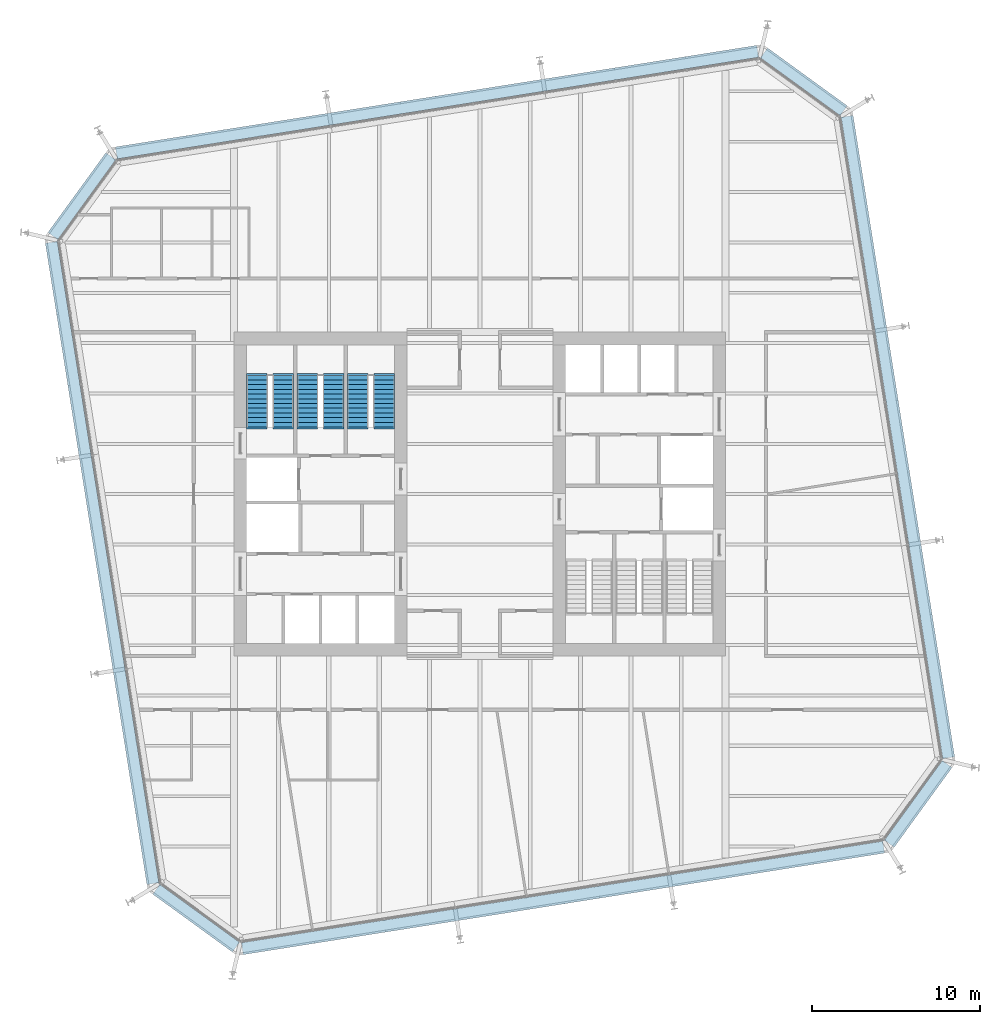
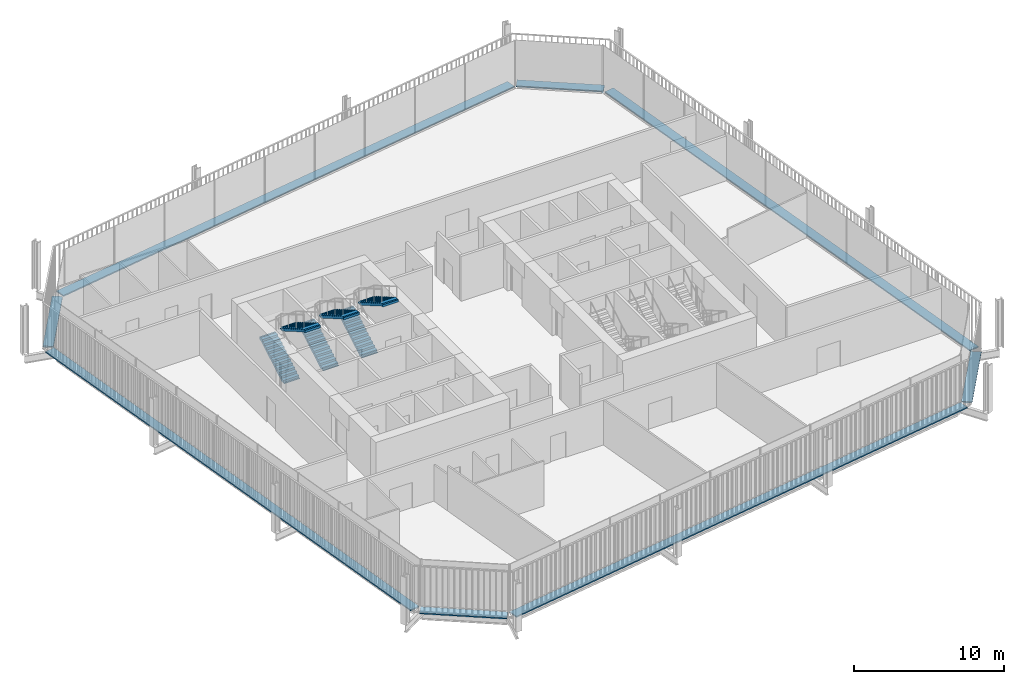
# One storey, part 20 of 21: 8 discrete accessories, 6 stair flights, 3 elements without a shape of their own.
"""IFC4 building model written with IfcOpenShell, lengths in metres."""

from ifc_helpers import new_model, si_unit, direction, frame, origin, origin_2d, place, context, subcontext, project, spatial, polyline, rectangle, outline, extrude, material, type_object, element, aggregate, save


model = new_model("IFC4")

# Units and contexts
model_context = context("Model", 3, precision=1e-05, world=origin(), true_north=direction((0.0, 1.0)))
body_context = subcontext(model_context, "Body", "Model", "MODEL_VIEW")
ifc_project = project(units=[si_unit("LENGTHUNIT", "METRE"), si_unit("AREAUNIT", "SQUARE_METRE"), si_unit("VOLUMEUNIT", "CUBIC_METRE"), si_unit("PLANEANGLEUNIT", "RADIAN"), si_unit("MASSUNIT", "GRAM", prefix="KILO")], contexts=[model_context])

# Site, building, storey
site_placement = place(None, origin())
site = spatial("IfcSite", under=ifc_project, at=site_placement, CompositionType="ELEMENT")
building_placement = place(site_placement, origin())
building = spatial("IfcBuilding", under=site, at=building_placement, Name="Millrace Tower", CompositionType="ELEMENT")
storey_placement = place(building_placement, frame((0.0, 0.0, 191.699951171875)))
storey = spatial("IfcBuildingStorey", under=building, at=storey_placement, Name="L43", CompositionType="ELEMENT", Elevation=191.699951171875)

# Stair, stair flights
ifc_material_1 = material(Name="Concrete C35", Category="concrete")
stair_type = type_object("IfcStairType", Name="Exit stair", PredefinedType="HALF_TURN_STAIR", material=ifc_material_1)
placement = place(storey_placement, origin())
stair_1 = element("IfcStair", 1, at=placement, inside=storey, type_object=stair_type, Name="Stair 1 W L43", PredefinedType="HALF_TURN_STAIR")
ifc_material_2 = material(Name="Concrete C35", Category="concrete")
stair_flight_type = type_object("IfcStairFlightType", Name="Exit stair flight", PredefinedType="STRAIGHT", material=ifc_material_2)
stair_flight_1_placement = place(storey_placement, frame((-13.2900390625, 4.0, 0.0), z_axis=(0.0, 0.0, 1.0), x_axis=(0.0, 1.0, 0.0)))
stair_flight_1 = element("IfcStairFlight", 2, at=stair_flight_1_placement, type_object=stair_flight_type, Name="ST12 flight 1", NumberOfRisers=12, NumberOfTreads=11, PredefinedType="STRAIGHT", RiserHeight=0.1625, TreadLength=0.28, context=body_context, shape_type="SweptSolid", body=[
    extrude(outline(polyline([(-0.1201171875, -0.0400390625), (-0.1201171875, 0.0), (0.0, 0.0), (0.0, 0.16259765625), (0.280029296875, 0.16259765625), (0.280029296875, 0.324951171875), (0.56005859375, 0.324951171875), (0.56005859375, 0.487548828125), (0.840087890625, 0.487548828125), (0.840087890625, 0.64990234375), (1.1201171875, 0.64990234375), (1.1201171875, 0.8125), (1.39990234375, 0.8125), (1.39990234375, 0.97509765625), (1.679931640625, 0.97509765625), (1.679931640625, 1.137451171875), (1.9599609375, 1.137451171875), (1.9599609375, 1.300048828125), (2.239990234375, 1.300048828125), (2.239990234375, 1.46240234375), (2.52001953125, 1.46240234375), (2.52001953125, 1.625), (2.800048828125, 1.625), (2.800048828125, 1.78759765625), (3.080078125, 1.78759765625), (3.080078125, 1.8076171875), (3.199951171875, 1.8076171875), (3.199951171875, 1.6142578125), (3.080078125, 1.6142578125), (0.298583984375, 0.0), (0.298583984375, -0.0400390625), (-0.1201171875, -0.0400390625)])), frame((0.0, 0.60986328125, 0.0), z_axis=(0.0, -1.0, 0.0), x_axis=(1.0, 0.0, 0.0)), (0.0, 0.0, 1.0), 1.219970703125),
])
stair_flight_2_placement = place(storey_placement, frame((-11.7099609375, 7.080078125, 1.949951171875), z_axis=(0.0, 0.0, 1.0), x_axis=(0.0, -1.0, 0.0)))
stair_flight_2 = element("IfcStairFlight", 3, at=stair_flight_2_placement, type_object=stair_flight_type, Name="ST12 flight 2", NumberOfRisers=12, NumberOfTreads=11, PredefinedType="STRAIGHT", RiserHeight=0.1625, TreadLength=0.28, context=body_context, shape_type="SweptSolid", body=[
    extrude(outline(polyline([(-0.1201171875, -0.0400390625), (-0.1201171875, 0.0), (0.0, 0.0), (0.0, 0.16259765625), (0.280029296875, 0.16259765625), (0.280029296875, 0.324951171875), (0.56005859375, 0.324951171875), (0.56005859375, 0.487548828125), (0.840087890625, 0.487548828125), (0.840087890625, 0.64990234375), (1.1201171875, 0.64990234375), (1.1201171875, 0.8125), (1.39990234375, 0.8125), (1.39990234375, 0.97509765625), (1.679931640625, 0.97509765625), (1.679931640625, 1.137451171875), (1.9599609375, 1.137451171875), (1.9599609375, 1.300048828125), (2.239990234375, 1.300048828125), (2.239990234375, 1.46240234375), (2.52001953125, 1.46240234375), (2.52001953125, 1.625), (2.800048828125, 1.625), (2.800048828125, 1.78759765625), (3.080078125, 1.78759765625), (3.080078125, 1.8076171875), (3.199951171875, 1.8076171875), (3.199951171875, 1.6142578125), (3.080078125, 1.6142578125), (0.298583984375, 0.0), (0.298583984375, -0.0400390625), (-0.1201171875, -0.0400390625)])), frame((0.0, 0.60986328125, 0.0), z_axis=(0.0, -1.0, 0.0), x_axis=(1.0, 0.0, 0.0)), (0.0, 0.0, 1.0), 1.219970703125),
])
aggregate(stair_1, [stair_flight_1, stair_flight_2])

stair_2 = element("IfcStair", 4, at=placement, inside=storey, type_object=stair_type, Name="Stair 2 W L43", PredefinedType="HALF_TURN_STAIR")
stair_flight_3_placement = place(storey_placement, frame((-10.2900390625, 4.0, 0.0), z_axis=(0.0, 0.0, 1.0), x_axis=(0.0, 1.0, 0.0)))
stair_flight_3 = element("IfcStairFlight", 5, at=stair_flight_3_placement, type_object=stair_flight_type, Name="ST12 flight 1", NumberOfRisers=12, NumberOfTreads=11, PredefinedType="STRAIGHT", RiserHeight=0.1625, TreadLength=0.28, context=body_context, shape_type="SweptSolid", body=[
    extrude(outline(polyline([(-0.1201171875, -0.0400390625), (-0.1201171875, 0.0), (0.0, 0.0), (0.0, 0.16259765625), (0.280029296875, 0.16259765625), (0.280029296875, 0.324951171875), (0.56005859375, 0.324951171875), (0.56005859375, 0.487548828125), (0.840087890625, 0.487548828125), (0.840087890625, 0.64990234375), (1.1201171875, 0.64990234375), (1.1201171875, 0.8125), (1.39990234375, 0.8125), (1.39990234375, 0.97509765625), (1.679931640625, 0.97509765625), (1.679931640625, 1.137451171875), (1.9599609375, 1.137451171875), (1.9599609375, 1.300048828125), (2.239990234375, 1.300048828125), (2.239990234375, 1.46240234375), (2.52001953125, 1.46240234375), (2.52001953125, 1.625), (2.800048828125, 1.625), (2.800048828125, 1.78759765625), (3.080078125, 1.78759765625), (3.080078125, 1.8076171875), (3.199951171875, 1.8076171875), (3.199951171875, 1.6142578125), (3.080078125, 1.6142578125), (0.298583984375, 0.0), (0.298583984375, -0.0400390625), (-0.1201171875, -0.0400390625)])), frame((0.0, 0.60986328125, 0.0), z_axis=(0.0, -1.0, 0.0), x_axis=(1.0, 0.0, 0.0)), (0.0, 0.0, 1.0), 1.219970703125),
])
stair_flight_4_placement = place(storey_placement, frame((-8.7099609375, 7.080078125, 1.949951171875), z_axis=(0.0, 0.0, 1.0), x_axis=(0.0, -1.0, 0.0)))
stair_flight_4 = element("IfcStairFlight", 6, at=stair_flight_4_placement, type_object=stair_flight_type, Name="ST12 flight 2", NumberOfRisers=12, NumberOfTreads=11, PredefinedType="STRAIGHT", RiserHeight=0.1625, TreadLength=0.28, context=body_context, shape_type="SweptSolid", body=[
    extrude(outline(polyline([(-0.1201171875, -0.0400390625), (-0.1201171875, 0.0), (0.0, 0.0), (0.0, 0.16259765625), (0.280029296875, 0.16259765625), (0.280029296875, 0.324951171875), (0.56005859375, 0.324951171875), (0.56005859375, 0.487548828125), (0.840087890625, 0.487548828125), (0.840087890625, 0.64990234375), (1.1201171875, 0.64990234375), (1.1201171875, 0.8125), (1.39990234375, 0.8125), (1.39990234375, 0.97509765625), (1.679931640625, 0.97509765625), (1.679931640625, 1.137451171875), (1.9599609375, 1.137451171875), (1.9599609375, 1.300048828125), (2.239990234375, 1.300048828125), (2.239990234375, 1.46240234375), (2.52001953125, 1.46240234375), (2.52001953125, 1.625), (2.800048828125, 1.625), (2.800048828125, 1.78759765625), (3.080078125, 1.78759765625), (3.080078125, 1.8076171875), (3.199951171875, 1.8076171875), (3.199951171875, 1.6142578125), (3.080078125, 1.6142578125), (0.298583984375, 0.0), (0.298583984375, -0.0400390625), (-0.1201171875, -0.0400390625)])), frame((0.0, 0.60986328125, 0.0), z_axis=(0.0, -1.0, 0.0), x_axis=(1.0, 0.0, 0.0)), (0.0, 0.0, 1.0), 1.219970703125),
])
aggregate(stair_2, [stair_flight_3, stair_flight_4])

stair_3 = element("IfcStair", 7, at=placement, inside=storey, type_object=stair_type, Name="Stair 3 W L43", PredefinedType="HALF_TURN_STAIR")
stair_flight_5_placement = place(storey_placement, frame((-7.2900390625, 4.0, 0.0), z_axis=(0.0, 0.0, 1.0), x_axis=(0.0, 1.0, 0.0)))
stair_flight_5 = element("IfcStairFlight", 8, at=stair_flight_5_placement, type_object=stair_flight_type, Name="ST12 flight 1", NumberOfRisers=12, NumberOfTreads=11, PredefinedType="STRAIGHT", RiserHeight=0.1625, TreadLength=0.28, context=body_context, shape_type="SweptSolid", body=[
    extrude(outline(polyline([(-0.1201171875, -0.0400390625), (-0.1201171875, 0.0), (0.0, 0.0), (0.0, 0.16259765625), (0.280029296875, 0.16259765625), (0.280029296875, 0.324951171875), (0.56005859375, 0.324951171875), (0.56005859375, 0.487548828125), (0.840087890625, 0.487548828125), (0.840087890625, 0.64990234375), (1.1201171875, 0.64990234375), (1.1201171875, 0.8125), (1.39990234375, 0.8125), (1.39990234375, 0.97509765625), (1.679931640625, 0.97509765625), (1.679931640625, 1.137451171875), (1.9599609375, 1.137451171875), (1.9599609375, 1.300048828125), (2.239990234375, 1.300048828125), (2.239990234375, 1.46240234375), (2.52001953125, 1.46240234375), (2.52001953125, 1.625), (2.800048828125, 1.625), (2.800048828125, 1.78759765625), (3.080078125, 1.78759765625), (3.080078125, 1.8076171875), (3.199951171875, 1.8076171875), (3.199951171875, 1.6142578125), (3.080078125, 1.6142578125), (0.298583984375, 0.0), (0.298583984375, -0.0400390625), (-0.1201171875, -0.0400390625)])), frame((0.0, 0.60986328125, 0.0), z_axis=(0.0, -1.0, 0.0), x_axis=(1.0, 0.0, 0.0)), (0.0, 0.0, 1.0), 1.219970703125),
])
stair_flight_6_placement = place(storey_placement, frame((-5.7099609375, 7.080078125, 1.949951171875), z_axis=(0.0, 0.0, 1.0), x_axis=(0.0, -1.0, 0.0)))
stair_flight_6 = element("IfcStairFlight", 9, at=stair_flight_6_placement, type_object=stair_flight_type, Name="ST12 flight 2", NumberOfRisers=12, NumberOfTreads=11, PredefinedType="STRAIGHT", RiserHeight=0.1625, TreadLength=0.28, context=body_context, shape_type="SweptSolid", body=[
    extrude(outline(polyline([(-0.1201171875, -0.0400390625), (-0.1201171875, 0.0), (0.0, 0.0), (0.0, 0.16259765625), (0.280029296875, 0.16259765625), (0.280029296875, 0.324951171875), (0.56005859375, 0.324951171875), (0.56005859375, 0.487548828125), (0.840087890625, 0.487548828125), (0.840087890625, 0.64990234375), (1.1201171875, 0.64990234375), (1.1201171875, 0.8125), (1.39990234375, 0.8125), (1.39990234375, 0.97509765625), (1.679931640625, 0.97509765625), (1.679931640625, 1.137451171875), (1.9599609375, 1.137451171875), (1.9599609375, 1.300048828125), (2.239990234375, 1.300048828125), (2.239990234375, 1.46240234375), (2.52001953125, 1.46240234375), (2.52001953125, 1.625), (2.800048828125, 1.625), (2.800048828125, 1.78759765625), (3.080078125, 1.78759765625), (3.080078125, 1.8076171875), (3.199951171875, 1.8076171875), (3.199951171875, 1.6142578125), (3.080078125, 1.6142578125), (0.298583984375, 0.0), (0.298583984375, -0.0400390625), (-0.1201171875, -0.0400390625)])), frame((0.0, 0.60986328125, 0.0), z_axis=(0.0, -1.0, 0.0), x_axis=(1.0, 0.0, 0.0)), (0.0, 0.0, 1.0), 1.219970703125),
])
aggregate(stair_3, [stair_flight_5, stair_flight_6])

# Discrete accessories
ifc_material_3 = material(Name="Stainless steel ASTM A240 type 316", Category="steel")
discrete_accessory_type = type_object("IfcDiscreteAccessoryType", Name="Thermally broken screen support rail", PredefinedType="BRACKET", material=ifc_material_3)
discrete_accessory_1_placement = place(storey_placement, frame((-16.909423828125, -25.275390625, 0.0), z_axis=(0.0, 0.0, 1.0), x_axis=(0.809016981623, -0.587785269844, 0.0)))
element("IfcDiscreteAccessory", 10, at=discrete_accessory_1_placement, inside=storey, type_object=discrete_accessory_type, Name="Thermally broken screen support rail C-F01 L43 1", PredefinedType="BRACKET", context=body_context, shape_type="SweptSolid", body=[
    extrude(rectangle(XDim=5.868896484375, YDim=0.719970703125, at=origin_2d()), origin(), (0.0, 0.0, 1.0), 0.10009765625),
])
discrete_accessory_2_placement = place(storey_placement, frame((4.9560546875, -24.064453125, 0.0), z_axis=(0.0, 0.0, 1.0), x_axis=(0.98768833929, 0.15643447328, 0.0)))
element("IfcDiscreteAccessory", 11, at=discrete_accessory_2_placement, inside=storey, type_object=discrete_accessory_type, Name="Thermally broken screen support rail C-F02 L43 1", PredefinedType="BRACKET", context=body_context, shape_type="SweptSolid", body=[
    extrude(rectangle(XDim=38.699951171875, YDim=0.719970703125, at=origin_2d()), origin(), (0.0, 0.0, 1.0), 0.10009765625),
])
discrete_accessory_3_placement = place(storey_placement, frame((26.12548828125, -18.45947265625, 0.0), z_axis=(0.0, 0.0, 1.0), x_axis=(0.587785269844, 0.809016981623, 0.0)))
element("IfcDiscreteAccessory", 12, at=discrete_accessory_3_placement, inside=storey, type_object=discrete_accessory_type, Name="Thermally broken screen support rail C-F03 L43 1", PredefinedType="BRACKET", context=body_context, shape_type="SweptSolid", body=[
    extrude(rectangle(XDim=5.868896484375, YDim=0.719970703125, at=origin_2d()), origin(), (0.0, 0.0, 1.0), 0.10009765625),
])
discrete_accessory_4_placement = place(storey_placement, frame((24.914306640625, 3.406005859375, 0.0), z_axis=(0.0, 0.0, 1.0), x_axis=(-0.15643447328, 0.98768833929, 0.0)))
element("IfcDiscreteAccessory", 13, at=discrete_accessory_4_placement, inside=storey, type_object=discrete_accessory_type, Name="Thermally broken screen support rail C-F04 L43 1", PredefinedType="BRACKET", context=body_context, shape_type="SweptSolid", body=[
    extrude(rectangle(XDim=38.699951171875, YDim=0.719970703125, at=origin_2d()), origin(), (0.0, 0.0, 1.0), 0.10009765625),
])
discrete_accessory_5_placement = place(storey_placement, frame((19.309326171875, 24.575439453125, 0.0), z_axis=(0.0, 0.0, 1.0), x_axis=(-0.809016981623, 0.587785269844, 0.0)))
element("IfcDiscreteAccessory", 14, at=discrete_accessory_5_placement, inside=storey, type_object=discrete_accessory_type, Name="Thermally broken screen support rail C-F05 L43 1", PredefinedType="BRACKET", context=body_context, shape_type="SweptSolid", body=[
    extrude(rectangle(XDim=5.868896484375, YDim=0.719970703125, at=origin_2d()), origin(), (0.0, 0.0, 1.0), 0.10009765625),
])
discrete_accessory_6_placement = place(storey_placement, frame((-2.555908203125, 23.364501953125, 0.0), z_axis=(0.0, 0.0, 1.0), x_axis=(-0.98768833929, -0.15643447328, 0.0)))
element("IfcDiscreteAccessory", 15, at=discrete_accessory_6_placement, inside=storey, type_object=discrete_accessory_type, Name="Thermally broken screen support rail C-F06 L43 1", PredefinedType="BRACKET", context=body_context, shape_type="SweptSolid", body=[
    extrude(rectangle(XDim=38.699951171875, YDim=0.719970703125, at=origin_2d()), origin(), (0.0, 0.0, 1.0), 0.10009765625),
])
discrete_accessory_7_placement = place(storey_placement, frame((-23.725341796875, 17.75927734375, 0.0), z_axis=(0.0, 0.0, 1.0), x_axis=(-0.587785269844, -0.809016981623, 0.0)))
element("IfcDiscreteAccessory", 16, at=discrete_accessory_7_placement, inside=storey, type_object=discrete_accessory_type, Name="Thermally broken screen support rail C-F07 L43 1", PredefinedType="BRACKET", context=body_context, shape_type="SweptSolid", body=[
    extrude(rectangle(XDim=5.868896484375, YDim=0.719970703125, at=origin_2d()), origin(), (0.0, 0.0, 1.0), 0.10009765625),
])
discrete_accessory_8_placement = place(storey_placement, frame((-22.514404296875, -4.10595703125, 0.0), z_axis=(0.0, 0.0, 1.0), x_axis=(0.15643447328, -0.98768833929, 0.0)))
element("IfcDiscreteAccessory", 17, at=discrete_accessory_8_placement, inside=storey, type_object=discrete_accessory_type, Name="Thermally broken screen support rail C-F08 L43 1", PredefinedType="BRACKET", context=body_context, shape_type="SweptSolid", body=[
    extrude(rectangle(XDim=38.699951171875, YDim=0.719970703125, at=origin_2d()), origin(), (0.0, 0.0, 1.0), 0.10009765625),
])

save(model, "model.ifc")
